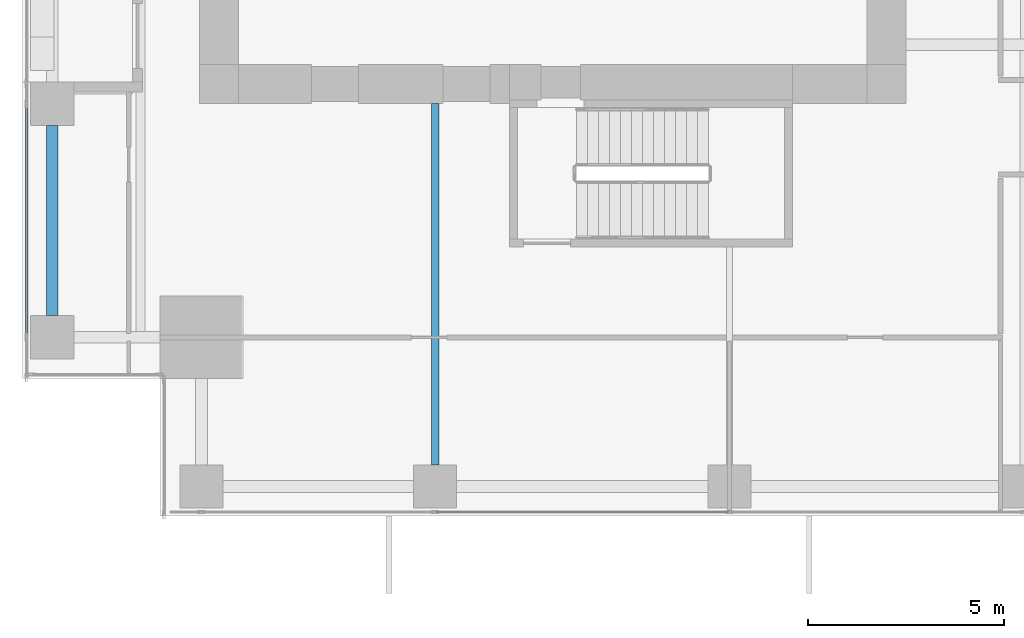
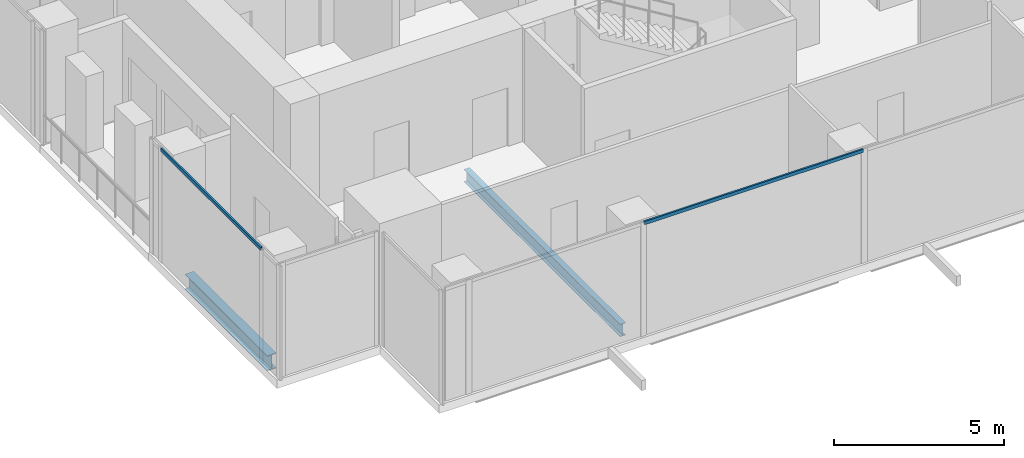
# One storey, part 3 of 34: 2 beams, 2 members, 2 elements without a shape of their own.
"""IFC4 building model written with IfcOpenShell, lengths in metres."""

from ifc_helpers import new_model, si_unit, direction, frame, origin, origin_2d, place, context, subcontext, project, spatial, hollow_rectangle, i_section, extrude, source, transform, mapped, material, material_profile, profile_set, type_object, element, aggregate, save


model = new_model("IFC4")

# Units and contexts
model_context = context("Model", 3, precision=1e-05, world=origin(), true_north=direction((0.0, 1.0)))
body_context = subcontext(model_context, "Body", "Model", "MODEL_VIEW")
ifc_project = project(units=[si_unit("LENGTHUNIT", "METRE"), si_unit("AREAUNIT", "SQUARE_METRE"), si_unit("VOLUMEUNIT", "CUBIC_METRE"), si_unit("PLANEANGLEUNIT", "RADIAN"), si_unit("MASSUNIT", "GRAM", prefix="KILO")], contexts=[model_context])

# Site, building, storey
site_placement = place(None, origin())
site = spatial("IfcSite", under=ifc_project, at=site_placement, CompositionType="ELEMENT")
building_placement = place(site_placement, origin())
building = spatial("IfcBuilding", under=site, at=building_placement, Name="Khomas Fold Tower", CompositionType="ELEMENT")
storey_placement = place(building_placement, frame((0.0, 0.0, 123.5)))
storey = spatial("IfcBuildingStorey", under=building, at=storey_placement, Name="L26", CompositionType="ELEMENT", Elevation=123.5)

# Beams
ifc_material_1 = material(Name="Steel S355", Category="steel")
ifc_material_profile_1 = material_profile(ifc_material_1, i_section(OverallWidth=0.300048828125, OverallDepth=0.550048828125, WebThickness=0.014892578125, FlangeThickness=0.029052734375, at=origin_2d()), Name="HE 550 B")
ifc_profile_set_1 = profile_set([ifc_material_profile_1], Name="Steel S355")
beam_type_1 = type_object("IfcBeamType", Name="HE 550 B spandrel SB2", PredefinedType="SPANDREL", material=ifc_profile_set_1)
shared_shape_1 = source(origin(), body_context, "Body", "SweptSolid", [
    extrude(i_section(OverallWidth=0.300048828125, OverallDepth=0.550048828125, WebThickness=0.014892578125, FlangeThickness=0.029052734375, at=origin_2d()), origin(), (0.0, 0.0, 1.0), 4.849853515625),
])
beam_1_placement = place(storey_placement, frame((2.25, 6.60009765625, -0.574951171875), z_axis=(0.0, 1.0, 0.0), x_axis=(-1.0, 0.0, 0.0)))
element("IfcBeam", 1, at=beam_1_placement, inside=storey, type_object=beam_type_1, Name="SB2", PredefinedType="SPANDREL", context=body_context, shape_type="MappedRepresentation", body=[
    mapped(shared_shape_1, transform((0.0, 0.0, 0.0))),
])
ifc_material_2 = material(Name="Steel S355", Category="steel")
ifc_material_profile_2 = material_profile(ifc_material_2, i_section(OverallWidth=0.18994140625, OverallDepth=0.449951171875, WebThickness=0.009521484375, FlangeThickness=0.0146484375, at=origin_2d()), Name="IPE 450")
ifc_profile_set_2 = profile_set([ifc_material_profile_2], Name="Steel S355")
beam_type_2 = type_object("IfcBeamType", Name="IPE 450 beam JB4", PredefinedType="BEAM", material=ifc_profile_set_2)
shared_shape_2 = source(origin(), body_context, "Body", "SweptSolid", [
    extrude(i_section(OverallWidth=0.18994140625, OverallDepth=0.449951171875, WebThickness=0.009521484375, FlangeThickness=0.0146484375, at=origin_2d()), origin(), (0.0, 0.0, 1.0), 9.199951171875),
])
beam_2_placement = place(storey_placement, frame((12.0, 2.800048828125, -0.52490234375), z_axis=(0.0, 1.0, 0.0), x_axis=(-1.0, 0.0, 0.0)))
element("IfcBeam", 2, at=beam_2_placement, inside=storey, type_object=beam_type_2, Name="JB4", PredefinedType="BEAM", context=body_context, shape_type="MappedRepresentation", body=[
    mapped(shared_shape_2, transform((0.0, 0.0, 0.0))),
])

# Curtain wall, member
ifc_material_3 = material(Name="Aluminium framed double glazing", Category="aluminium")
curtain_wall_type = type_object("IfcCurtainWallType", Name="SK-Unitised clear-glass wall, growing floors CW1", PredefinedType="NOTDEFINED", material=ifc_material_3)
curtain_wall_1_placement = place(storey_placement, origin())
curtain_wall_1 = element("IfcCurtainWall", 3, at=curtain_wall_1_placement, inside=storey, type_object=curtain_wall_type, Name="CW1 run L26 00-0", PredefinedType="NOTDEFINED")
ifc_material_4 = material(Name="Aluminium", Category="aluminium")
ifc_material_profile_3 = material_profile(ifc_material_4, hollow_rectangle(XDim=0.06005859375, YDim=0.1201171875, WallThickness=0.00390625, at=origin_2d()), Name="SK-Unitised clear-glass wall, growing floors transom CW1-T")
ifc_profile_set_3 = profile_set([ifc_material_profile_3], Name="Aluminium")
member_type = type_object("IfcMemberType", Name="SK-Unitised clear-glass wall, growing floors transom CW1-T", PredefinedType="USERDEFINED", material=ifc_profile_set_3)
shared_shape_3 = source(origin(), body_context, "Body", "SweptSolid", [
    extrude(hollow_rectangle(XDim=0.06005859375, YDim=0.1201171875, WallThickness=0.00390625, at=origin_2d()), origin(), (0.0, 0.0, 1.0), 7.43994140625),
])
member_1_placement = place(storey_placement, frame((12.030029296875, 1.60009765625, 4.0400390625), z_axis=(1.0, 0.0, 0.0), x_axis=(0.0, 1.0, 0.0)))
member_1 = element("IfcMember", 4, at=member_1_placement, type_object=member_type, Name="CW1 transom 3", ObjectType="TRANSOM", PredefinedType="USERDEFINED", context=body_context, shape_type="MappedRepresentation", body=[
    mapped(shared_shape_3, transform((0.0, 0.0, 0.0))),
])
aggregate(curtain_wall_1, [member_1])

curtain_wall_2_placement = place(storey_placement, origin())
curtain_wall_2 = element("IfcCurtainWall", 5, at=curtain_wall_2_placement, inside=storey, type_object=curtain_wall_type, Name="CW1 run L26 09-1", PredefinedType="NOTDEFINED")
shared_shape_4 = source(origin(), body_context, "Body", "SweptSolid", [
    extrude(hollow_rectangle(XDim=0.06005859375, YDim=0.1201171875, WallThickness=0.00390625, at=origin_2d()), origin(), (0.0, 0.0, 1.0), 5.889892578125),
])
member_2_placement = place(storey_placement, frame((1.60009765625, 11.969970703125, 4.0400390625), z_axis=(0.0, -1.0, 0.0), x_axis=(1.0, 0.0, 0.0)))
member_2 = element("IfcMember", 6, at=member_2_placement, type_object=member_type, Name="CW1 transom 2", ObjectType="TRANSOM", PredefinedType="USERDEFINED", context=body_context, shape_type="MappedRepresentation", body=[
    mapped(shared_shape_4, transform((0.0, 0.0, 0.0))),
])
aggregate(curtain_wall_2, [member_2])

save(model, "model.ifc")
